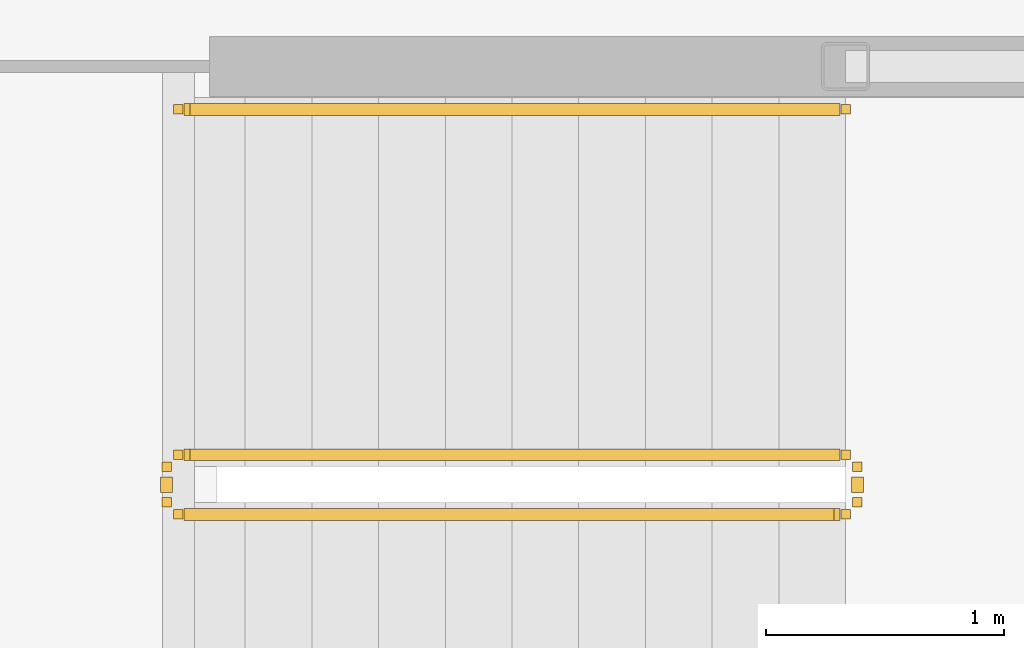
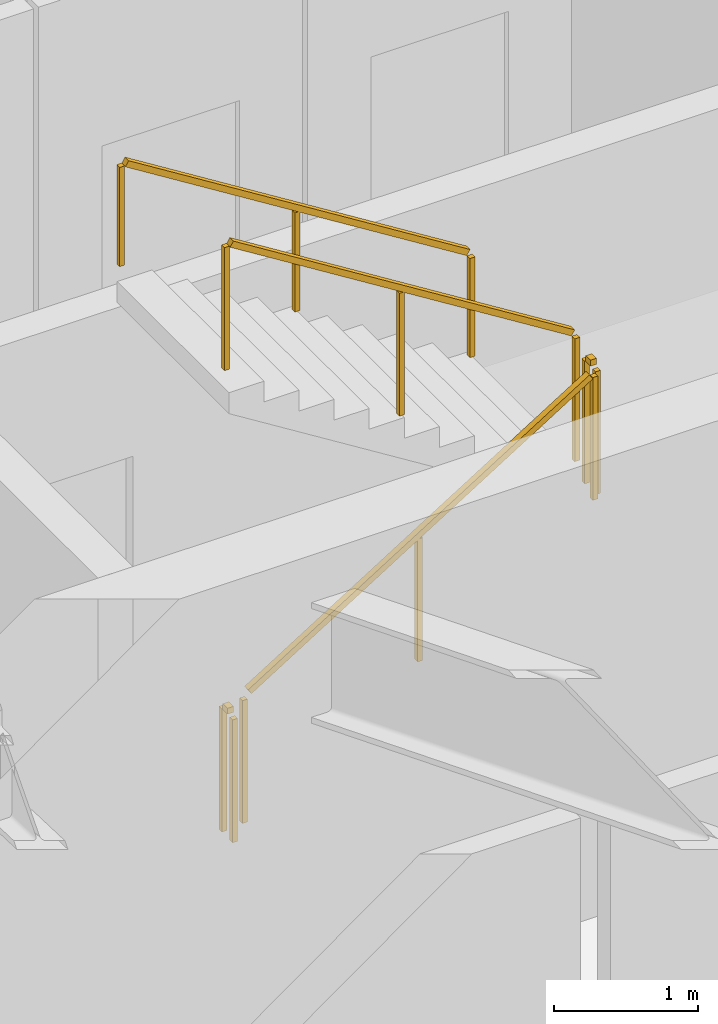
# One storey, part 27 of 30: 5 railings.
"""IFC4 building model written with IfcOpenShell, lengths in metres."""

from ifc_helpers import new_model, si_unit, direction, frame, origin, origin_2d, place, context, subcontext, project, spatial, rectangle, extrude, material, type_object, element, save


model = new_model("IFC4")

# Units and contexts
model_context = context("Model", 3, precision=1e-05, world=origin(), true_north=direction((0.0, 1.0)))
body_context = subcontext(model_context, "Body", "Model", "MODEL_VIEW")
ifc_project = project(units=[si_unit("LENGTHUNIT", "METRE"), si_unit("AREAUNIT", "SQUARE_METRE"), si_unit("VOLUMEUNIT", "CUBIC_METRE"), si_unit("PLANEANGLEUNIT", "RADIAN"), si_unit("MASSUNIT", "GRAM", prefix="KILO")], contexts=[model_context])

# Site, building, storey
site_placement = place(None, origin())
site = spatial("IfcSite", under=ifc_project, at=site_placement, CompositionType="ELEMENT")
building_placement = place(site_placement, origin())
building = spatial("IfcBuilding", under=site, at=building_placement, Name="Kazma Halo Residences", CompositionType="ELEMENT")
storey_placement = place(building_placement, frame((0.0, 0.0, 302.14990234375)))
storey = spatial("IfcBuildingStorey", under=building, at=storey_placement, Name="L76", CompositionType="ELEMENT", Elevation=302.14990234375)

# Railings
ifc_material_1 = material(Name="Painted Steel S355", Category="steel")
railing_type_1 = type_object("IfcRailingType", Name="RLG-STAIR-GRD-1100", PredefinedType="GUARDRAIL", material=ifc_material_1)
railing_1_placement = place(storey_placement, frame((53.199951171875, 35.5, 0.175048828125)))
element("IfcRailing", 1, at=railing_1_placement, inside=storey, type_object=railing_type_1, Name="L76 ST-03 stair guard 1", PredefinedType="GUARDRAIL", context=body_context, shape_type="SweptSolid", body=[
    extrude(rectangle(XDim=0.050048828125, YDim=0.050048828125, at=origin_2d()), frame((0.0361328125, 0.0, 1.09765625), z_axis=(0.848002457836, 0.0, 0.529992293815), x_axis=(0.0, 1.0, 0.0)), (0.0, 0.0, 1.0), 3.216796875),
    extrude(rectangle(XDim=0.0400390625, YDim=0.0400390625, at=origin_2d()), origin(), (0.0, 0.0, 1.0), 1.0380859375),
    extrude(rectangle(XDim=0.0400390625, YDim=0.0400390625, at=origin_2d()), frame((1.39990234375, 0.0, 0.875)), (0.0, 0.0, 1.0), 1.0380859375),
    extrude(rectangle(XDim=0.0400390625, YDim=0.0400390625, at=origin_2d()), frame((2.800048828125, 0.0, 1.75)), (0.0, 0.0, 1.0), 1.0380859375),
])
railing_2_placement = place(storey_placement, frame((56.050048828125, 35.550048828125, 1.925048828125)))
element("IfcRailing", 2, at=railing_2_placement, inside=storey, type_object=railing_type_1, Name="L76 ST-03 stair guard 2", PredefinedType="GUARDRAIL", context=body_context, shape_type="SweptSolid", body=[
    extrude(rectangle(XDim=0.050048828125, YDim=0.050048828125, at=origin_2d()), frame((0.0, 0.04248046875, 1.0751953125), z_axis=(0.0, 1.0, 0.0), x_axis=(-1.0, 0.0, 0.0)), (0.0, 0.0, 1.0), 0.06494140625),
    extrude(rectangle(XDim=0.0400390625, YDim=0.0400390625, at=origin_2d()), origin(), (0.0, 0.0, 1.0), 1.0380859375),
    extrude(rectangle(XDim=0.0400390625, YDim=0.0400390625, at=origin_2d()), frame((0.0, 0.14990234375, 0.0)), (0.0, 0.0, 1.0), 1.0380859375),
])
railing_3_placement = place(storey_placement, frame((56.0, 35.75, 2.10009765625)))
element("IfcRailing", 3, at=railing_3_placement, inside=storey, type_object=railing_type_1, Name="L76 ST-03 stair guard 3", PredefinedType="GUARDRAIL", context=body_context, shape_type="SweptSolid", body=[
    extrude(rectangle(XDim=0.050048828125, YDim=0.050048828125, at=origin_2d()), frame((-0.0361328125, 0.0, 1.09765625), z_axis=(-0.848002457836, 0.0, 0.529992293815), x_axis=(0.0, -1.0, 0.0)), (0.0, 0.0, 1.0), 3.216796875),
    extrude(rectangle(XDim=0.0400390625, YDim=0.0400390625, at=origin_2d()), origin(), (0.0, 0.0, 1.0), 1.0380859375),
    extrude(rectangle(XDim=0.0400390625, YDim=0.0400390625, at=origin_2d()), frame((-1.39990234375, 0.0, 0.875)), (0.0, 0.0, 1.0), 1.0380859375),
    extrude(rectangle(XDim=0.0400390625, YDim=0.0400390625, at=origin_2d()), frame((-2.800048828125, 0.0, 1.75)), (0.0, 0.0, 1.0), 1.0380859375),
])
railing_4_placement = place(storey_placement, frame((53.14990234375, 35.550048828125, 0.0)))
element("IfcRailing", 4, at=railing_4_placement, inside=storey, type_object=railing_type_1, Name="L76 ST-03 stair guard 4", PredefinedType="GUARDRAIL", context=body_context, shape_type="SweptSolid", body=[
    extrude(rectangle(XDim=0.050048828125, YDim=0.050048828125, at=origin_2d()), frame((0.0, 0.04248046875, 1.0751953125), z_axis=(0.0, 1.0, 0.0), x_axis=(-1.0, 0.0, 0.0)), (0.0, 0.0, 1.0), 0.06494140625),
    extrude(rectangle(XDim=0.0400390625, YDim=0.0400390625, at=origin_2d()), origin(), (0.0, 0.0, 1.0), 1.0380859375),
    extrude(rectangle(XDim=0.0400390625, YDim=0.0400390625, at=origin_2d()), frame((0.0, 0.14990234375, 0.0)), (0.0, 0.0, 1.0), 1.0380859375),
])
ifc_material_2 = material(Name="Brushed Stainless Steel", Category="steel")
railing_type_2 = type_object("IfcRailingType", Name="RLG-STAIR-HND-900", PredefinedType="HANDRAIL", material=ifc_material_2)
railing_5_placement = place(storey_placement, frame((56.0, 37.199951171875, 2.10009765625)))
element("IfcRailing", 5, at=railing_5_placement, inside=storey, type_object=railing_type_2, Name="L76 ST-03 stair handrail 2", PredefinedType="HANDRAIL", context=body_context, shape_type="SweptSolid", body=[
    extrude(rectangle(XDim=0.050048828125, YDim=0.050048828125, at=origin_2d()), frame((-0.0361328125, 0.0, 0.8974609375), z_axis=(-0.848002457836, 0.0, 0.529992293815), x_axis=(0.0, -1.0, 0.0)), (0.0, 0.0, 1.0), 3.216796875),
    extrude(rectangle(XDim=0.0400390625, YDim=0.0400390625, at=origin_2d()), origin(), (0.0, 0.0, 1.0), 0.837890625),
    extrude(rectangle(XDim=0.0400390625, YDim=0.0400390625, at=origin_2d()), frame((-1.39990234375, 0.0, 0.875)), (0.0, 0.0, 1.0), 0.837890625),
    extrude(rectangle(XDim=0.0400390625, YDim=0.0400390625, at=origin_2d()), frame((-2.800048828125, 0.0, 1.75)), (0.0, 0.0, 1.0), 0.837890625),
])

save(model, "model.ifc")
